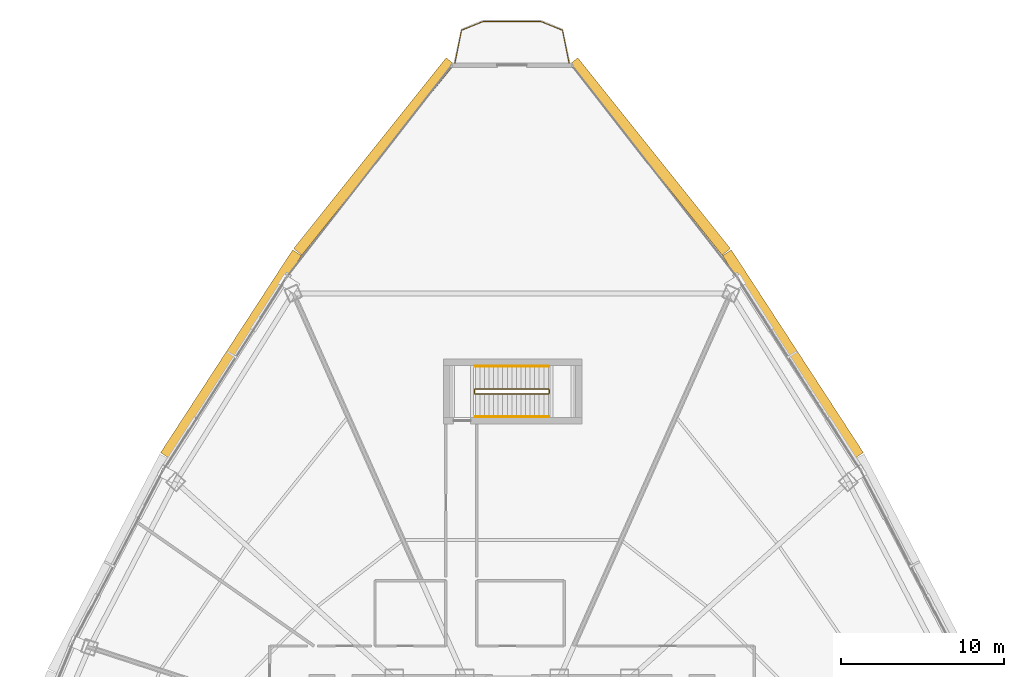
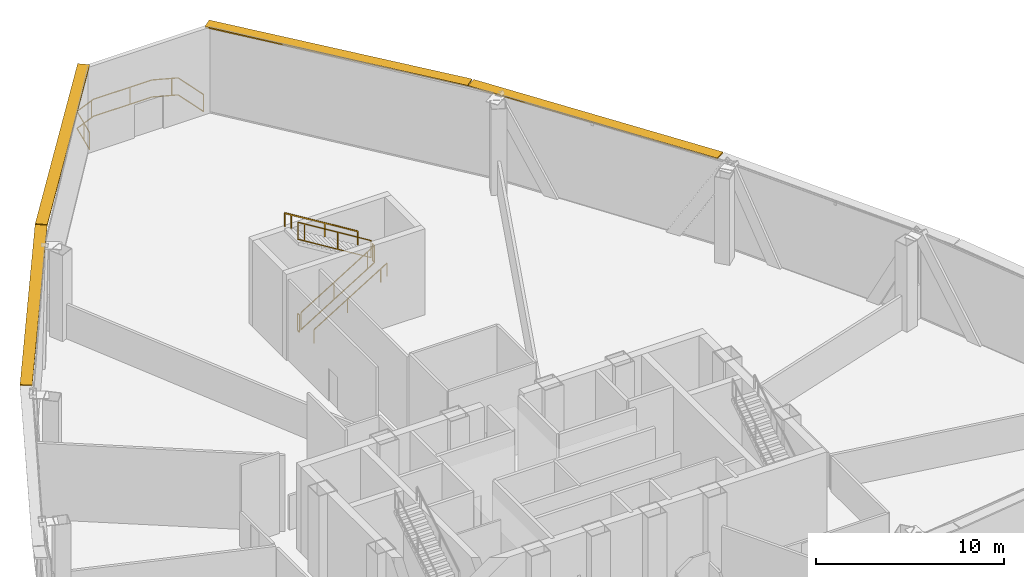
# One storey, part 37 of 38: 7 railings, 4 shading devices.
"""IFC4 building model written with IfcOpenShell, lengths in metres."""

from ifc_helpers import new_model, si_unit, direction, frame, origin, origin_2d, place, context, subcontext, project, spatial, rectangle, extrude, source, transform, mapped, material, layer, layer_set, type_object, element, save


model = new_model("IFC4")

# Units and contexts
model_context = context("Model", 3, precision=1e-05, world=origin(), true_north=direction((0.0, 1.0)))
body_context = subcontext(model_context, "Body", "Model", "MODEL_VIEW")
ifc_project = project(units=[si_unit("LENGTHUNIT", "METRE"), si_unit("AREAUNIT", "SQUARE_METRE"), si_unit("VOLUMEUNIT", "CUBIC_METRE"), si_unit("PLANEANGLEUNIT", "RADIAN"), si_unit("MASSUNIT", "GRAM", prefix="KILO"), si_unit("THERMODYNAMICTEMPERATUREUNIT", "KELVIN"), si_unit("POWERUNIT", "WATT")], contexts=[model_context])

# Site, building, storey
site_placement = place(None, origin())
site = spatial("IfcSite", under=ifc_project, at=site_placement, CompositionType="ELEMENT")
building_placement = place(site_placement, origin())
building = spatial("IfcBuilding", under=site, at=building_placement, Name="Yunzhuo Pagoda Commons", CompositionType="ELEMENT")
storey_placement = place(building_placement, frame((0.0, 0.0, 266.909912109375)))
storey = spatial("IfcBuildingStorey", under=building, at=storey_placement, Name="L67", CompositionType="ELEMENT", Elevation=266.909912109375)

# Railings
ifc_material = material(Name="Anodized aluminium 6063-T6", Category="aluminium")
railing_type_1 = type_object("IfcRailingType", Name="GR-ST3 North Well Guardrail 1155", PredefinedType="GUARDRAIL", material=ifc_material)
railing_1_placement = place(storey_placement, frame((45.75, 57.64990234375, 0.172119140625)))
element("IfcRailing", 1, at=railing_1_placement, inside=storey, type_object=railing_type_1, Name="L67 ST3 stair guard 1", PredefinedType="GUARDRAIL", context=body_context, shape_type="SweptSolid", body=[
    extrude(rectangle(XDim=0.048095703125, YDim=0.048095703125, at=origin_2d()), frame((0.0, 0.0, 1.1259765625), z_axis=(0.851996104429, 0.0, 0.523548123899), x_axis=(0.0, 1.0, 0.0)), (0.0, 0.0, 1.0), 5.25830078125),
    extrude(rectangle(XDim=0.048095703125, YDim=0.048095703125, at=origin_2d()), frame((0.0, 0.0, 0.02392578125), z_axis=(0.851996104429, 0.0, 0.523548123899), x_axis=(0.0, 1.0, 0.0)), (0.0, 0.0, 1.0), 5.25830078125),
    extrude(rectangle(XDim=0.0419921875, YDim=0.0419921875, at=origin_2d()), origin(), (0.0, 0.0, 1.0), 1.101806640625),
    extrude(rectangle(XDim=0.0419921875, YDim=0.0419921875, at=origin_2d()), frame((2.044677734375, 0.0, 1.256591796875)), (0.0, 0.0, 1.0), 1.101806640625),
    extrude(rectangle(XDim=0.0419921875, YDim=0.0419921875, at=origin_2d()), frame((4.089599609375, 0.0, 2.512939453125)), (0.0, 0.0, 1.0), 1.101806640625),
    extrude(rectangle(XDim=0.0419921875, YDim=0.0419921875, at=origin_2d()), frame((4.47998046875, 0.0, 2.7529296875)), (0.0, 0.0, 1.0), 1.101806640625),
])
railing_2_placement = place(storey_placement, frame((50.280029296875, 57.699951171875, 2.925048828125)))
element("IfcRailing", 2, at=railing_2_placement, inside=storey, type_object=railing_type_1, Name="L67 ST3 stair guard 2", PredefinedType="GUARDRAIL", context=body_context, shape_type="SweptSolid", body=[
    extrude(rectangle(XDim=0.048095703125, YDim=0.048095703125, at=origin_2d()), frame((0.0, 0.0, 1.1259765625), z_axis=(0.0, 1.0, 0.0), x_axis=(-1.0, 0.0, 0.0)), (0.0, 0.0, 1.0), 0.199951171875),
    extrude(rectangle(XDim=0.048095703125, YDim=0.048095703125, at=origin_2d()), frame((0.0, 0.0, 0.02392578125), z_axis=(0.0, 1.0, 0.0), x_axis=(-1.0, 0.0, 0.0)), (0.0, 0.0, 1.0), 0.199951171875),
    extrude(rectangle(XDim=0.0419921875, YDim=0.0419921875, at=origin_2d()), origin(), (0.0, 0.0, 1.0), 1.101806640625),
    extrude(rectangle(XDim=0.0419921875, YDim=0.0419921875, at=origin_2d()), frame((0.0, 0.199951171875, 0.0)), (0.0, 0.0, 1.0), 1.101806640625),
])
railing_3_placement = place(storey_placement, frame((50.22998046875, 57.949951171875, 3.09716796875)))
element("IfcRailing", 3, at=railing_3_placement, inside=storey, type_object=railing_type_1, Name="L67 ST3 stair guard 3", PredefinedType="GUARDRAIL", context=body_context, shape_type="SweptSolid", body=[
    extrude(rectangle(XDim=0.048095703125, YDim=0.048095703125, at=origin_2d()), frame((0.0, 0.0, 1.1259765625), z_axis=(-0.851996104429, 0.0, 0.523548123899), x_axis=(0.0, -1.0, 0.0)), (0.0, 0.0, 1.0), 5.25830078125),
    extrude(rectangle(XDim=0.048095703125, YDim=0.048095703125, at=origin_2d()), frame((0.0, 0.0, 0.02392578125), z_axis=(-0.851996104429, 0.0, 0.523548123899), x_axis=(0.0, -1.0, 0.0)), (0.0, 0.0, 1.0), 5.25830078125),
    extrude(rectangle(XDim=0.0419921875, YDim=0.0419921875, at=origin_2d()), origin(), (0.0, 0.0, 1.0), 1.101806640625),
    extrude(rectangle(XDim=0.0419921875, YDim=0.0419921875, at=origin_2d()), frame((-2.044677734375, 0.0, 1.256591796875)), (0.0, 0.0, 1.0), 1.101806640625),
    extrude(rectangle(XDim=0.0419921875, YDim=0.0419921875, at=origin_2d()), frame((-4.089599609375, 0.0, 2.512939453125)), (0.0, 0.0, 1.0), 1.101806640625),
    extrude(rectangle(XDim=0.0419921875, YDim=0.0419921875, at=origin_2d()), frame((-4.47998046875, 0.0, 2.7529296875)), (0.0, 0.0, 1.0), 1.101806640625),
])
railing_4_placement = place(storey_placement, frame((45.699951171875, 57.699951171875, 0.0)))
element("IfcRailing", 4, at=railing_4_placement, inside=storey, type_object=railing_type_1, Name="L67 ST3 stair guard 4", PredefinedType="GUARDRAIL", context=body_context, shape_type="SweptSolid", body=[
    extrude(rectangle(XDim=0.048095703125, YDim=0.048095703125, at=origin_2d()), frame((0.0, 0.0, 1.1259765625), z_axis=(0.0, 1.0, 0.0), x_axis=(-1.0, 0.0, 0.0)), (0.0, 0.0, 1.0), 0.199951171875),
    extrude(rectangle(XDim=0.048095703125, YDim=0.048095703125, at=origin_2d()), frame((0.0, 0.0, 0.02392578125), z_axis=(0.0, 1.0, 0.0), x_axis=(-1.0, 0.0, 0.0)), (0.0, 0.0, 1.0), 0.199951171875),
    extrude(rectangle(XDim=0.0419921875, YDim=0.0419921875, at=origin_2d()), origin(), (0.0, 0.0, 1.0), 1.101806640625),
    extrude(rectangle(XDim=0.0419921875, YDim=0.0419921875, at=origin_2d()), frame((0.0, 0.199951171875, 0.0)), (0.0, 0.0, 1.0), 1.101806640625),
])
railing_type_2 = type_object("IfcRailingType", Name="HR-ST3 North Stair Handrail 900", PredefinedType="HANDRAIL", material=ifc_material)
railing_5_placement = place(storey_placement, frame((45.75, 56.25, 0.172119140625)))
element("IfcRailing", 5, at=railing_5_placement, inside=storey, type_object=railing_type_2, Name="L67 ST3 stair handrail 1", PredefinedType="HANDRAIL", context=body_context, shape_type="SweptSolid", body=[
    extrude(rectangle(XDim=0.048095703125, YDim=0.048095703125, at=origin_2d()), frame((0.0, 0.0, 0.8759765625), z_axis=(0.851996104429, 0.0, 0.523548123899), x_axis=(0.0, 1.0, 0.0)), (0.0, 0.0, 1.0), 5.25830078125),
    extrude(rectangle(XDim=0.0419921875, YDim=0.0419921875, at=origin_2d()), origin(), (0.0, 0.0, 1.0), 0.851806640625),
    extrude(rectangle(XDim=0.0419921875, YDim=0.0419921875, at=origin_2d()), frame((2.044677734375, 0.0, 1.256591796875)), (0.0, 0.0, 1.0), 0.851806640625),
    extrude(rectangle(XDim=0.0419921875, YDim=0.0419921875, at=origin_2d()), frame((4.089599609375, 0.0, 2.512939453125)), (0.0, 0.0, 1.0), 0.851806640625),
    extrude(rectangle(XDim=0.0419921875, YDim=0.0419921875, at=origin_2d()), frame((4.47998046875, 0.0, 2.7529296875)), (0.0, 0.0, 1.0), 0.851806640625),
])
railing_6_placement = place(storey_placement, frame((50.22998046875, 59.35009765625, 3.09716796875)))
element("IfcRailing", 6, at=railing_6_placement, inside=storey, type_object=railing_type_2, Name="L67 ST3 stair handrail 2", PredefinedType="HANDRAIL", context=body_context, shape_type="SweptSolid", body=[
    extrude(rectangle(XDim=0.048095703125, YDim=0.048095703125, at=origin_2d()), frame((0.0, 0.0, 0.8759765625), z_axis=(-0.851996104429, 0.0, 0.523548123899), x_axis=(0.0, -1.0, 0.0)), (0.0, 0.0, 1.0), 5.25830078125),
    extrude(rectangle(XDim=0.0419921875, YDim=0.0419921875, at=origin_2d()), origin(), (0.0, 0.0, 1.0), 0.851806640625),
    extrude(rectangle(XDim=0.0419921875, YDim=0.0419921875, at=origin_2d()), frame((-2.044677734375, 0.0, 1.256591796875)), (0.0, 0.0, 1.0), 0.851806640625),
    extrude(rectangle(XDim=0.0419921875, YDim=0.0419921875, at=origin_2d()), frame((-4.089599609375, 0.0, 2.512939453125)), (0.0, 0.0, 1.0), 0.851806640625),
    extrude(rectangle(XDim=0.0419921875, YDim=0.0419921875, at=origin_2d()), frame((-4.47998046875, 0.0, 2.7529296875)), (0.0, 0.0, 1.0), 0.851806640625),
])
railing_type_3 = type_object("IfcRailingType", Name="RL-BAL1 Exterior Terrace & Balcony Balustrade 1150", PredefinedType="BALUSTRADE", material=ifc_material)
railing_7_placement = place(storey_placement, frame((51.499267578125, 77.925048828125, 0.0)))
element("IfcRailing", 7, at=railing_7_placement, inside=storey, type_object=railing_type_3, Name="L67 corner balcony balustrade V3", PredefinedType="BALUSTRADE", context=body_context, shape_type="SweptSolid", body=[
    extrude(rectangle(XDim=0.048095703125, YDim=0.048095703125, at=origin_2d()), frame((0.0, 0.0, 1.1259765625), z_axis=(-0.194200568098, 0.980961843983, 0.0), x_axis=(-0.980961843983, -0.194200568098, 0.0)), (0.0, 0.0, 1.0), 2.059326171875),
    extrude(rectangle(XDim=0.048095703125, YDim=0.048095703125, at=origin_2d()), frame((0.0, 0.0, 0.02392578125), z_axis=(-0.194200568098, 0.980961843983, 0.0), x_axis=(-0.980961843983, -0.194200568098, 0.0)), (0.0, 0.0, 1.0), 2.059326171875),
    extrude(rectangle(XDim=0.048095703125, YDim=0.048095703125, at=origin_2d()), frame((-0.39990234375, 2.02001953125, 1.1259765625), z_axis=(-0.926955398791, 0.375171545633, 0.0), x_axis=(-0.375171545633, -0.926955398791, 0.0)), (0.0, 0.0, 1.0), 1.412841796875),
    extrude(rectangle(XDim=0.048095703125, YDim=0.048095703125, at=origin_2d()), frame((-0.39990234375, 2.02001953125, 0.02392578125), z_axis=(-0.926955398791, 0.375171545633, 0.0), x_axis=(-0.375171545633, -0.926955398791, 0.0)), (0.0, 0.0, 1.0), 1.412841796875),
    extrude(rectangle(XDim=0.048095703125, YDim=0.048095703125, at=origin_2d()), frame((-1.70947265625, 2.550048828125, 1.1259765625), z_axis=(-1.0, 0.0, 0.0), x_axis=(0.0, -1.0, 0.0)), (0.0, 0.0, 1.0), 3.57958984375),
    extrude(rectangle(XDim=0.048095703125, YDim=0.048095703125, at=origin_2d()), frame((-1.70947265625, 2.550048828125, 0.02392578125), z_axis=(-1.0, 0.0, 0.0), x_axis=(0.0, -1.0, 0.0)), (0.0, 0.0, 1.0), 3.57958984375),
    extrude(rectangle(XDim=0.048095703125, YDim=0.048095703125, at=origin_2d()), frame((-5.2890625, 2.550048828125, 1.1259765625), z_axis=(-0.926955398791, -0.375171545633, 0.0), x_axis=(0.375171545633, -0.926955398791, 0.0)), (0.0, 0.0, 1.0), 1.412841796875),
    extrude(rectangle(XDim=0.048095703125, YDim=0.048095703125, at=origin_2d()), frame((-5.2890625, 2.550048828125, 0.02392578125), z_axis=(-0.926955398791, -0.375171545633, 0.0), x_axis=(0.375171545633, -0.926955398791, 0.0)), (0.0, 0.0, 1.0), 1.412841796875),
    extrude(rectangle(XDim=0.048095703125, YDim=0.048095703125, at=origin_2d()), frame((-6.5986328125, 2.02001953125, 1.1259765625), z_axis=(-0.194200568098, -0.980961843983, 0.0), x_axis=(0.980961843983, -0.194200568098, 0.0)), (0.0, 0.0, 1.0), 2.059326171875),
    extrude(rectangle(XDim=0.048095703125, YDim=0.048095703125, at=origin_2d()), frame((-6.5986328125, 2.02001953125, 0.02392578125), z_axis=(-0.194200568098, -0.980961843983, 0.0), x_axis=(0.980961843983, -0.194200568098, 0.0)), (0.0, 0.0, 1.0), 2.059326171875),
    extrude(rectangle(XDim=0.0419921875, YDim=0.0419921875, at=origin_2d()), origin(), (0.0, 0.0, 1.0), 1.101806640625),
    extrude(rectangle(XDim=0.0419921875, YDim=0.0419921875, at=origin_2d()), frame((-0.7158203125, 2.14794921875, 0.0)), (0.0, 0.0, 1.0), 1.101806640625),
    extrude(rectangle(XDim=0.0419921875, YDim=0.0419921875, at=origin_2d()), frame((-3.03759765625, 2.550048828125, 0.0)), (0.0, 0.0, 1.0), 1.101806640625),
    extrude(rectangle(XDim=0.0419921875, YDim=0.0419921875, at=origin_2d()), frame((-5.4267578125, 2.494384765625, 0.0)), (0.0, 0.0, 1.0), 1.101806640625),
    extrude(rectangle(XDim=0.0419921875, YDim=0.0419921875, at=origin_2d()), frame((-6.819091796875, 0.906005859375, 0.0)), (0.0, 0.0, 1.0), 1.101806640625),
    extrude(rectangle(XDim=0.0419921875, YDim=0.0419921875, at=origin_2d()), frame((-6.99853515625, 0.0, 0.0)), (0.0, 0.0, 1.0), 1.101806640625),
])

# Shading devices
ifc_layer = layer(ifc_material, 0.080078125)
ifc_layer_set = layer_set([ifc_layer], Name="Anodized aluminium 6063-T6")
shading_device_type = type_object("IfcShadingDeviceType", Name="SH-SUN1 Pagoda Horizontal Sunshade Eave 650", PredefinedType="USERDEFINED", material=ifc_layer_set)
shared_shape_1 = source(origin(), body_context, "Body", "SweptSolid", [
    extrude(rectangle(XDim=14.98095703125, YDim=0.64990234375, at=origin_2d()), origin(), (0.0, 0.0, 1.0), 0.080078125),
])
for number, where, z_axis, x_axis, name in (
    (8, (56.457275390625, 72.208984375, 5.489990234375), (0.0, 0.0, 1.0), (-0.624520471688, 0.781008438138, 0.0), "L67 horizontal pagoda sunshade eave F2.4"),
    (9, (39.542724609375, 72.208984375, 5.489990234375), (0.0, 0.0, 1.0), (-0.624520471688, -0.781008438138, 0.0), "L67 horizontal pagoda sunshade eave F3.1"),
):
    element("IfcShadingDevice", number, at=place(storey_placement, frame(where, z_axis=z_axis, x_axis=x_axis)), inside=storey, type_object=shading_device_type, Name=name, ObjectType="SUNSHADE", PredefinedType="USERDEFINED", context=body_context, shape_type="MappedRepresentation", body=[
        mapped(shared_shape_1, transform((0.0, 0.0, 0.0), scale=1.0)),
    ])
shared_shape_2 = source(origin(), body_context, "Body", "SweptSolid", [
    extrude(rectangle(XDim=14.838623046875, YDim=0.64990234375, at=origin_2d()), origin(), (0.0, 0.0, 1.0), 0.080078125),
])
for number, where, z_axis, x_axis, name in (
    (10, (65.221923828125, 60.09130859375, 5.489990234375), (0.0, 0.0, 1.0), (-0.545838756973, 0.837890238269, 0.0), "L67 horizontal pagoda sunshade eave F2.3"),
    (11, (30.778076171875, 60.09130859375, 5.489990234375), (0.0, 0.0, 1.0), (-0.545838756973, -0.837890238269, 0.0), "L67 horizontal pagoda sunshade eave F3.2"),
):
    element("IfcShadingDevice", number, at=place(storey_placement, frame(where, z_axis=z_axis, x_axis=x_axis)), inside=storey, type_object=shading_device_type, Name=name, ObjectType="SUNSHADE", PredefinedType="USERDEFINED", context=body_context, shape_type="MappedRepresentation", body=[
        mapped(shared_shape_2, transform((0.0, 0.0, 0.0), scale=1.0)),
    ])

save(model, "model.ifc")
